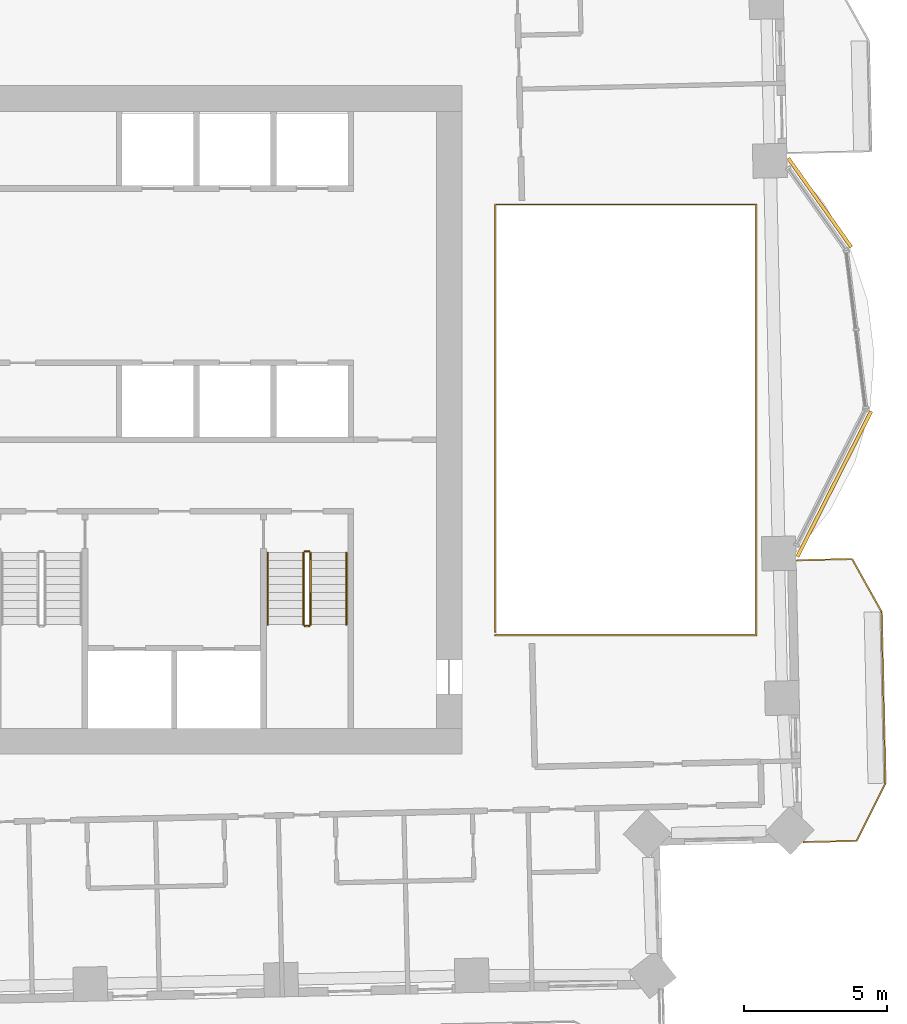
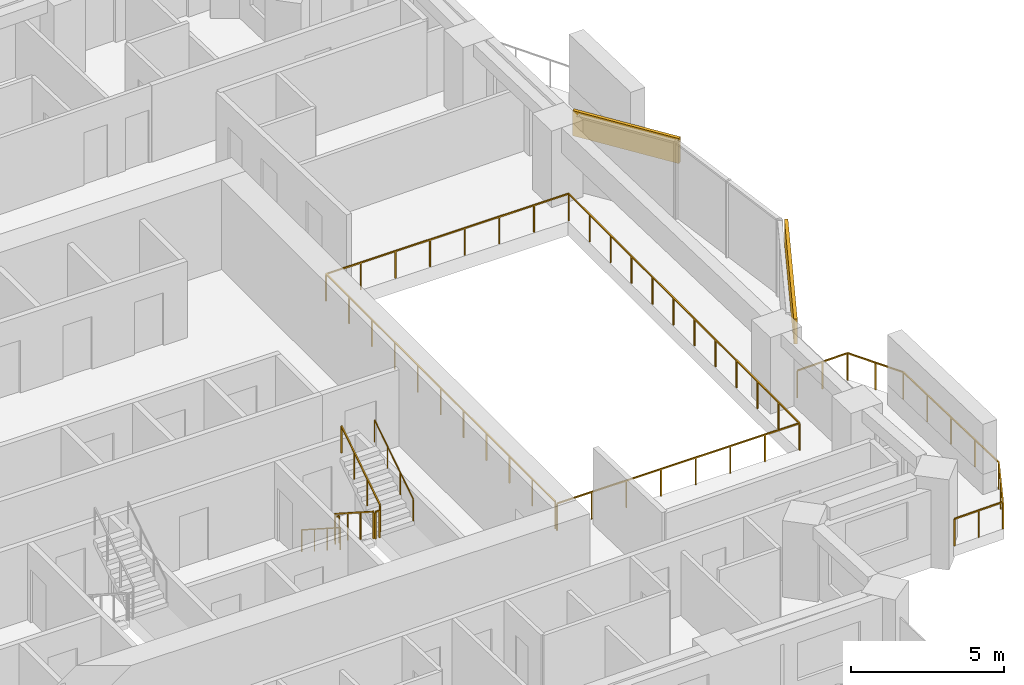
# One storey, part 15 of 16: 8 railings, 2 coverings.
"""IFC4 building model written with IfcOpenShell, lengths in metres."""

from ifc_helpers import new_model, si_unit, direction, frame, frame_2d, origin, origin_2d, place, context, subcontext, project, spatial, rectangle, circle, extrude, material, layer, layer_set, type_object, element, save


model = new_model("IFC4")

# Units and contexts
model_context = context("Model", 3, precision=1e-05, world=origin(), true_north=direction((0.0, 1.0)))
body_context = subcontext(model_context, "Body", "Model", "MODEL_VIEW")
ifc_project = project(units=[si_unit("LENGTHUNIT", "METRE"), si_unit("AREAUNIT", "SQUARE_METRE"), si_unit("VOLUMEUNIT", "CUBIC_METRE"), si_unit("PLANEANGLEUNIT", "RADIAN"), si_unit("MASSUNIT", "GRAM", prefix="KILO")], contexts=[model_context])

# Site, building, storey
site_placement = place(None, origin())
site = spatial("IfcSite", under=ifc_project, at=site_placement, CompositionType="ELEMENT")
building_placement = place(site_placement, origin())
building = spatial("IfcBuilding", under=site, at=building_placement, Name="Mangrove Gate Tower", CompositionType="ELEMENT")
storey_placement = place(building_placement, frame((0.0, 0.0, 189.699951171875)))
storey = spatial("IfcBuildingStorey", under=building, at=storey_placement, Name="L48", CompositionType="ELEMENT", Elevation=189.699951171875)

# Railings
ifc_material_1 = material(Name="Stainless steel grade 316 with laminated glass infill", Category="steel")
railing_type_1 = type_object("IfcRailingType", Name="Balcony guard 1100", PredefinedType="GUARDRAIL", material=ifc_material_1)
railing_1_placement = place(storey_placement, frame((26.658935546875, -14.785888671875, 0.0)))
element("IfcRailing", 1, at=railing_1_placement, inside=storey, type_object=railing_type_1, Name="GUARD L48 E1", PredefinedType="GUARDRAIL", context=body_context, shape_type="SweptSolid", body=[
    extrude(rectangle(XDim=0.048095703125, YDim=0.048095703125, at=origin_2d()), frame((0.0, 0.0, 1.076171875), z_axis=(0.999743329406, 0.02265558006, 0.0), x_axis=(-0.02265558006, 0.999743329406, 0.0)), (0.0, 0.0, 1.0), 1.853515625),
    extrude(rectangle(XDim=0.048095703125, YDim=0.048095703125, at=origin_2d()), frame((1.85302734375, 0.0419921875, 1.076171875), z_axis=(0.446868240177, 0.894599785335, 0.0), x_axis=(-0.894599785335, 0.446868240177, 0.0)), (0.0, 0.0, 1.0), 2.262451171875),
    extrude(rectangle(XDim=0.048095703125, YDim=0.048095703125, at=origin_2d()), frame((2.864013671875, 2.06591796875, 1.076171875), z_axis=(-0.022665943652, 0.999743094499, 0.0), x_axis=(-0.999743094499, -0.022665943652, 0.0)), (0.0, 0.0, 1.0), 5.99951171875),
    extrude(rectangle(XDim=0.048095703125, YDim=0.048095703125, at=origin_2d()), frame((2.72802734375, 8.06396484375, 1.076171875), z_axis=(-0.487147690962, 0.873319601973, 0.0), x_axis=(-0.873319601973, -0.487147690962, 0.0)), (0.0, 0.0, 1.0), 2.120361328125),
    extrude(rectangle(XDim=0.048095703125, YDim=0.048095703125, at=origin_2d()), frame((1.695068359375, 9.915771484375, 1.076171875), z_axis=(-0.999749396593, -0.022386246031, 0.0), x_axis=(0.022386246031, -0.999749396593, 0.0)), (0.0, 0.0, 1.0), 1.91943359375),
    extrude(rectangle(XDim=0.0419921875, YDim=0.0419921875, at=origin_2d()), origin(), (0.0, 0.0, 1.0), 1.052001953125),
    extrude(rectangle(XDim=0.0419921875, YDim=0.0419921875, at=origin_2d()), frame((0.926513671875, 0.02099609375, 0.0)), (0.0, 0.0, 1.0), 1.052001953125),
    extrude(rectangle(XDim=0.0419921875, YDim=0.0419921875, at=origin_2d()), frame((1.85302734375, 0.0419921875, 0.0)), (0.0, 0.0, 1.0), 1.052001953125),
    extrude(rectangle(XDim=0.0419921875, YDim=0.0419921875, at=origin_2d()), frame((2.3583984375, 1.053955078125, 0.0)), (0.0, 0.0, 1.0), 1.052001953125),
    extrude(rectangle(XDim=0.0419921875, YDim=0.0419921875, at=origin_2d()), frame((2.864013671875, 2.06591796875, 0.0)), (0.0, 0.0, 1.0), 1.052001953125),
    extrude(rectangle(XDim=0.0419921875, YDim=0.0419921875, at=origin_2d()), frame((2.830078125, 3.5654296875, 0.0)), (0.0, 0.0, 1.0), 1.052001953125),
    extrude(rectangle(XDim=0.0419921875, YDim=0.0419921875, at=origin_2d()), frame((2.7958984375, 5.06494140625, 0.0)), (0.0, 0.0, 1.0), 1.052001953125),
    extrude(rectangle(XDim=0.0419921875, YDim=0.0419921875, at=origin_2d()), frame((2.761962890625, 6.564453125, 0.0)), (0.0, 0.0, 1.0), 1.052001953125),
    extrude(rectangle(XDim=0.0419921875, YDim=0.0419921875, at=origin_2d()), frame((2.72802734375, 8.06396484375, 0.0)), (0.0, 0.0, 1.0), 1.052001953125),
    extrude(rectangle(XDim=0.0419921875, YDim=0.0419921875, at=origin_2d()), frame((2.21142578125, 8.98974609375, 0.0)), (0.0, 0.0, 1.0), 1.052001953125),
    extrude(rectangle(XDim=0.0419921875, YDim=0.0419921875, at=origin_2d()), frame((1.695068359375, 9.915771484375, 0.0)), (0.0, 0.0, 1.0), 1.052001953125),
    extrude(rectangle(XDim=0.0419921875, YDim=0.0419921875, at=origin_2d()), frame((0.735595703125, 9.894287109375, 0.0)), (0.0, 0.0, 1.0), 1.052001953125),
    extrude(rectangle(XDim=0.0419921875, YDim=0.0419921875, at=origin_2d()), frame((-0.223876953125, 9.872802734375, 0.0)), (0.0, 0.0, 1.0), 1.052001953125),
])
railing_2_placement = place(storey_placement, frame((15.860107421875, -7.5400390625, 0.0)))
element("IfcRailing", 2, at=railing_2_placement, inside=storey, type_object=railing_type_1, Name="GUARD L48 atrium", PredefinedType="GUARDRAIL", context=body_context, shape_type="SweptSolid", body=[
    extrude(rectangle(XDim=0.048095703125, YDim=0.048095703125, at=origin_2d()), frame((0.0, 0.0, 1.076171875), z_axis=(1.0, 0.0, 0.0), x_axis=(0.0, 1.0, 0.0)), (0.0, 0.0, 1.0), 9.143798828125),
    extrude(rectangle(XDim=0.048095703125, YDim=0.048095703125, at=origin_2d()), frame((9.143798828125, 0.0, 1.076171875), z_axis=(0.0, 1.0, 0.0), x_axis=(-1.0, 0.0, 0.0)), (0.0, 0.0, 1.0), 15.080078125),
    extrude(rectangle(XDim=0.048095703125, YDim=0.048095703125, at=origin_2d()), frame((9.143798828125, 15.080078125, 1.076171875), z_axis=(-1.0, 0.0, 0.0), x_axis=(0.0, -1.0, 0.0)), (0.0, 0.0, 1.0), 9.143798828125),
    extrude(rectangle(XDim=0.048095703125, YDim=0.048095703125, at=origin_2d()), frame((0.0, 15.080078125, 1.076171875), z_axis=(0.0, -1.0, 0.0), x_axis=(1.0, 0.0, 0.0)), (0.0, 0.0, 1.0), 14.9599609375),
    extrude(rectangle(XDim=0.0419921875, YDim=0.0419921875, at=origin_2d()), origin(), (0.0, 0.0, 1.0), 1.052001953125),
    extrude(rectangle(XDim=0.0419921875, YDim=0.0419921875, at=origin_2d()), frame((1.30615234375, 0.0, 0.0)), (0.0, 0.0, 1.0), 1.052001953125),
    extrude(rectangle(XDim=0.0419921875, YDim=0.0419921875, at=origin_2d()), frame((2.612548828125, 0.0, 0.0)), (0.0, 0.0, 1.0), 1.052001953125),
    extrude(rectangle(XDim=0.0419921875, YDim=0.0419921875, at=origin_2d()), frame((3.918701171875, 0.0, 0.0)), (0.0, 0.0, 1.0), 1.052001953125),
    extrude(rectangle(XDim=0.0419921875, YDim=0.0419921875, at=origin_2d()), frame((5.22509765625, 0.0, 0.0)), (0.0, 0.0, 1.0), 1.052001953125),
    extrude(rectangle(XDim=0.0419921875, YDim=0.0419921875, at=origin_2d()), frame((6.53125, 0.0, 0.0)), (0.0, 0.0, 1.0), 1.052001953125),
    extrude(rectangle(XDim=0.0419921875, YDim=0.0419921875, at=origin_2d()), frame((7.837646484375, 0.0, 0.0)), (0.0, 0.0, 1.0), 1.052001953125),
    extrude(rectangle(XDim=0.0419921875, YDim=0.0419921875, at=origin_2d()), frame((9.143798828125, 0.0, 0.0)), (0.0, 0.0, 1.0), 1.052001953125),
    extrude(rectangle(XDim=0.0419921875, YDim=0.0419921875, at=origin_2d()), frame((9.143798828125, 1.370849609375, 0.0)), (0.0, 0.0, 1.0), 1.052001953125),
    extrude(rectangle(XDim=0.0419921875, YDim=0.0419921875, at=origin_2d()), frame((9.143798828125, 2.741943359375, 0.0)), (0.0, 0.0, 1.0), 1.052001953125),
    extrude(rectangle(XDim=0.0419921875, YDim=0.0419921875, at=origin_2d()), frame((9.143798828125, 4.11279296875, 0.0)), (0.0, 0.0, 1.0), 1.052001953125),
    extrude(rectangle(XDim=0.0419921875, YDim=0.0419921875, at=origin_2d()), frame((9.143798828125, 5.483642578125, 0.0)), (0.0, 0.0, 1.0), 1.052001953125),
    extrude(rectangle(XDim=0.0419921875, YDim=0.0419921875, at=origin_2d()), frame((9.143798828125, 6.8544921875, 0.0)), (0.0, 0.0, 1.0), 1.052001953125),
    extrude(rectangle(XDim=0.0419921875, YDim=0.0419921875, at=origin_2d()), frame((9.143798828125, 8.2255859375, 0.0)), (0.0, 0.0, 1.0), 1.052001953125),
    extrude(rectangle(XDim=0.0419921875, YDim=0.0419921875, at=origin_2d()), frame((9.143798828125, 9.596435546875, 0.0)), (0.0, 0.0, 1.0), 1.052001953125),
    extrude(rectangle(XDim=0.0419921875, YDim=0.0419921875, at=origin_2d()), frame((9.143798828125, 10.96728515625, 0.0)), (0.0, 0.0, 1.0), 1.052001953125),
    extrude(rectangle(XDim=0.0419921875, YDim=0.0419921875, at=origin_2d()), frame((9.143798828125, 12.338134765625, 0.0)), (0.0, 0.0, 1.0), 1.052001953125),
    extrude(rectangle(XDim=0.0419921875, YDim=0.0419921875, at=origin_2d()), frame((9.143798828125, 13.709228515625, 0.0)), (0.0, 0.0, 1.0), 1.052001953125),
    extrude(rectangle(XDim=0.0419921875, YDim=0.0419921875, at=origin_2d()), frame((9.143798828125, 15.080078125, 0.0)), (0.0, 0.0, 1.0), 1.052001953125),
    extrude(rectangle(XDim=0.0419921875, YDim=0.0419921875, at=origin_2d()), frame((7.837646484375, 15.080078125, 0.0)), (0.0, 0.0, 1.0), 1.052001953125),
    extrude(rectangle(XDim=0.0419921875, YDim=0.0419921875, at=origin_2d()), frame((6.53125, 15.080078125, 0.0)), (0.0, 0.0, 1.0), 1.052001953125),
    extrude(rectangle(XDim=0.0419921875, YDim=0.0419921875, at=origin_2d()), frame((5.22509765625, 15.080078125, 0.0)), (0.0, 0.0, 1.0), 1.052001953125),
    extrude(rectangle(XDim=0.0419921875, YDim=0.0419921875, at=origin_2d()), frame((3.918701171875, 15.080078125, 0.0)), (0.0, 0.0, 1.0), 1.052001953125),
    extrude(rectangle(XDim=0.0419921875, YDim=0.0419921875, at=origin_2d()), frame((2.612548828125, 15.080078125, 0.0)), (0.0, 0.0, 1.0), 1.052001953125),
    extrude(rectangle(XDim=0.0419921875, YDim=0.0419921875, at=origin_2d()), frame((1.30615234375, 15.080078125, 0.0)), (0.0, 0.0, 1.0), 1.052001953125),
    extrude(rectangle(XDim=0.0419921875, YDim=0.0419921875, at=origin_2d()), frame((0.0, 15.080078125, 0.0)), (0.0, 0.0, 1.0), 1.052001953125),
    extrude(rectangle(XDim=0.0419921875, YDim=0.0419921875, at=origin_2d()), frame((0.0, 13.583984375, 0.0)), (0.0, 0.0, 1.0), 1.052001953125),
    extrude(rectangle(XDim=0.0419921875, YDim=0.0419921875, at=origin_2d()), frame((0.0, 12.088134765625, 0.0)), (0.0, 0.0, 1.0), 1.052001953125),
    extrude(rectangle(XDim=0.0419921875, YDim=0.0419921875, at=origin_2d()), frame((0.0, 10.592041015625, 0.0)), (0.0, 0.0, 1.0), 1.052001953125),
    extrude(rectangle(XDim=0.0419921875, YDim=0.0419921875, at=origin_2d()), frame((0.0, 9.09619140625, 0.0)), (0.0, 0.0, 1.0), 1.052001953125),
    extrude(rectangle(XDim=0.0419921875, YDim=0.0419921875, at=origin_2d()), frame((0.0, 7.60009765625, 0.0)), (0.0, 0.0, 1.0), 1.052001953125),
    extrude(rectangle(XDim=0.0419921875, YDim=0.0419921875, at=origin_2d()), frame((0.0, 6.10400390625, 0.0)), (0.0, 0.0, 1.0), 1.052001953125),
    extrude(rectangle(XDim=0.0419921875, YDim=0.0419921875, at=origin_2d()), frame((0.0, 4.608154296875, 0.0)), (0.0, 0.0, 1.0), 1.052001953125),
    extrude(rectangle(XDim=0.0419921875, YDim=0.0419921875, at=origin_2d()), frame((0.0, 3.112060546875, 0.0)), (0.0, 0.0, 1.0), 1.052001953125),
    extrude(rectangle(XDim=0.0419921875, YDim=0.0419921875, at=origin_2d()), frame((0.0, 1.6162109375, 0.0)), (0.0, 0.0, 1.0), 1.052001953125),
    extrude(rectangle(XDim=0.0419921875, YDim=0.0419921875, at=origin_2d()), frame((0.0, 0.1201171875, 0.0)), (0.0, 0.0, 1.0), 1.052001953125),
])
ifc_material_2 = material(Name="Stainless steel 316", Category="steel")
railing_type_2 = type_object("IfcRailingType", Name="Core stair guard 1100", PredefinedType="GUARDRAIL", material=ifc_material_2)
railing_3_placement = place(storey_placement, frame((9.14990234375, -4.64990234375, 0.179931640625)))
element("IfcRailing", 3, at=railing_3_placement, inside=storey, type_object=railing_type_2, Name="L48 ST3 stair guard 1", PredefinedType="GUARDRAIL", context=body_context, shape_type="SweptSolid", body=[
    extrude(rectangle(XDim=0.048095703125, YDim=0.048095703125, at=origin_2d()), frame((0.0, 0.0, 1.076171875), z_axis=(0.0, -0.841162588446, 0.540782303519), x_axis=(1.0, 0.0, 0.0)), (0.0, 0.0, 1.0), 2.995849609375),
    extrude(rectangle(XDim=0.0419921875, YDim=0.0419921875, at=origin_2d()), origin(), (0.0, 0.0, 1.0), 1.052001953125),
    extrude(rectangle(XDim=0.0419921875, YDim=0.0419921875, at=origin_2d()), frame((0.0, -0.840087890625, 0.5400390625)), (0.0, 0.0, 1.0), 1.052001953125),
    extrude(rectangle(XDim=0.0419921875, YDim=0.0419921875, at=origin_2d()), frame((0.0, -1.679931640625, 1.080078125)), (0.0, 0.0, 1.0), 1.052001953125),
    extrude(rectangle(XDim=0.0419921875, YDim=0.0419921875, at=origin_2d()), frame((0.0, -2.52001953125, 1.6201171875)), (0.0, 0.0, 1.0), 1.052001953125),
])
railing_4_placement = place(storey_placement, frame((9.199951171875, -7.219970703125, 1.800048828125)))
element("IfcRailing", 4, at=railing_4_placement, inside=storey, type_object=railing_type_2, Name="L48 ST3 stair guard 2", PredefinedType="GUARDRAIL", context=body_context, shape_type="SweptSolid", body=[
    extrude(rectangle(XDim=0.048095703125, YDim=0.048095703125, at=origin_2d()), frame((0.0, 0.0, 1.076171875), z_axis=(1.0, 0.0, 0.0), x_axis=(0.0, 1.0, 0.0)), (0.0, 0.0, 1.0), 0.150146484375),
    extrude(rectangle(XDim=0.0419921875, YDim=0.0419921875, at=origin_2d()), origin(), (0.0, 0.0, 1.0), 1.052001953125),
    extrude(rectangle(XDim=0.0419921875, YDim=0.0419921875, at=origin_2d()), frame((0.150146484375, 0.0, 0.0)), (0.0, 0.0, 1.0), 1.052001953125),
])
railing_5_placement = place(storey_placement, frame((9.39990234375, -7.169921875, 1.97998046875)))
element("IfcRailing", 5, at=railing_5_placement, inside=storey, type_object=railing_type_2, Name="L48 ST3 stair guard 3", PredefinedType="GUARDRAIL", context=body_context, shape_type="SweptSolid", body=[
    extrude(rectangle(XDim=0.048095703125, YDim=0.048095703125, at=origin_2d()), frame((0.0, 0.0, 1.076171875), z_axis=(0.0, 0.841162588446, 0.540782303519), x_axis=(-1.0, 0.0, 0.0)), (0.0, 0.0, 1.0), 2.995849609375),
    extrude(rectangle(XDim=0.0419921875, YDim=0.0419921875, at=origin_2d()), origin(), (0.0, 0.0, 1.0), 1.052001953125),
    extrude(rectangle(XDim=0.0419921875, YDim=0.0419921875, at=origin_2d()), frame((0.0, 0.840087890625, 0.5400390625)), (0.0, 0.0, 1.0), 1.052001953125),
    extrude(rectangle(XDim=0.0419921875, YDim=0.0419921875, at=origin_2d()), frame((0.0, 1.679931640625, 1.080078125)), (0.0, 0.0, 1.0), 1.052001953125),
    extrude(rectangle(XDim=0.0419921875, YDim=0.0419921875, at=origin_2d()), frame((0.0, 2.52001953125, 1.6201171875)), (0.0, 0.0, 1.0), 1.052001953125),
])
railing_6_placement = place(storey_placement, frame((9.199951171875, -4.60009765625, 0.0)))
element("IfcRailing", 6, at=railing_6_placement, inside=storey, type_object=railing_type_2, Name="L48 ST3 stair guard 4", PredefinedType="GUARDRAIL", context=body_context, shape_type="SweptSolid", body=[
    extrude(rectangle(XDim=0.048095703125, YDim=0.048095703125, at=origin_2d()), frame((0.0, 0.0, 1.076171875), z_axis=(1.0, 0.0, 0.0), x_axis=(0.0, 1.0, 0.0)), (0.0, 0.0, 1.0), 0.150146484375),
    extrude(rectangle(XDim=0.0419921875, YDim=0.0419921875, at=origin_2d()), origin(), (0.0, 0.0, 1.0), 1.052001953125),
    extrude(rectangle(XDim=0.0419921875, YDim=0.0419921875, at=origin_2d()), frame((0.150146484375, 0.0, 0.0)), (0.0, 0.0, 1.0), 1.052001953125),
])
ifc_material_3 = material(Name="Stainless steel 316", Category="steel")
railing_type_3 = type_object("IfcRailingType", Name="Core stair handrail 900", PredefinedType="HANDRAIL", material=ifc_material_3)
railing_7_placement = place(storey_placement, frame((7.89990234375, -4.64990234375, 0.179931640625)))
element("IfcRailing", 7, at=railing_7_placement, inside=storey, type_object=railing_type_3, Name="L48 ST3 stair handrail 1", PredefinedType="HANDRAIL", context=body_context, shape_type="SweptSolid", body=[
    extrude(circle(Radius=0.02392578125, at=origin_2d()), frame((0.0, 0.0, 0.8759765625), z_axis=(0.0, -0.841162588446, 0.540782303519), x_axis=(1.0, 0.0, 0.0)), (0.0, 0.0, 1.0), 2.995849609375),
    extrude(circle(Radius=0.02099609375, at=origin_2d()), origin(), (0.0, 0.0, 1.0), 0.851806640625),
    extrude(circle(Radius=0.02099609375, at=origin_2d()), frame((0.0, -0.840087890625, 0.5400390625)), (0.0, 0.0, 1.0), 0.851806640625),
    extrude(circle(Radius=0.02099609375, at=origin_2d()), frame((0.0, -1.679931640625, 1.080078125)), (0.0, 0.0, 1.0), 0.851806640625),
    extrude(circle(Radius=0.02099609375, at=origin_2d()), frame((0.0, -2.52001953125, 1.6201171875)), (0.0, 0.0, 1.0), 0.851806640625),
])
railing_8_placement = place(storey_placement, frame((10.64990234375, -7.169921875, 1.97998046875)))
element("IfcRailing", 8, at=railing_8_placement, inside=storey, type_object=railing_type_3, Name="L48 ST3 stair handrail 2", PredefinedType="HANDRAIL", context=body_context, shape_type="SweptSolid", body=[
    extrude(circle(Radius=0.02392578125, at=origin_2d()), frame((0.0, 0.0, 0.8759765625), z_axis=(0.0, 0.841162588446, 0.540782303519), x_axis=(-1.0, 0.0, 0.0)), (0.0, 0.0, 1.0), 2.995849609375),
    extrude(circle(Radius=0.02099609375, at=origin_2d()), origin(), (0.0, 0.0, 1.0), 0.851806640625),
    extrude(circle(Radius=0.02099609375, at=origin_2d()), frame((0.0, 0.840087890625, 0.5400390625)), (0.0, 0.0, 1.0), 0.851806640625),
    extrude(circle(Radius=0.02099609375, at=origin_2d()), frame((0.0, 1.679931640625, 1.080078125)), (0.0, 0.0, 1.0), 0.851806640625),
    extrude(circle(Radius=0.02099609375, at=origin_2d()), frame((0.0, 2.52001953125, 1.6201171875)), (0.0, 0.0, 1.0), 0.851806640625),
])

# Coverings
ifc_material_4 = material(Name="Limestone", Category="masonry")
ifc_layer_1 = layer(ifc_material_4, 0.0400390625, Name="Limestone cladding")
ifc_material_5 = material(Name="Stainless steel anchors and cavity", Category="steel")
ifc_layer_2 = layer(ifc_material_5, 0.080078125, Name="Fixing cavity")
ifc_layer_set = layer_set([ifc_layer_1, ifc_layer_2], Name="Joint fascia cladding 120")
covering_type = type_object("IfcCoveringType", Name="Joint fascia cladding 120", PredefinedType="CLADDING", material=ifc_layer_set)
covering_1_placement = place(storey_placement, frame((26.4423828125, -4.788330078125, 2.050048828125), z_axis=(0.0, 0.0, 1.0), x_axis=(0.452512280568, 0.891758171219, 0.0)))
element("IfcCovering", 9, at=covering_1_placement, inside=storey, type_object=covering_type, Name="STONE FASCIA L48 E1.L1", PredefinedType="CLADDING", context=body_context, shape_type="SweptSolid", body=[
    extrude(rectangle(XDim=5.704833984375, YDim=0.1201171875, at=frame_2d((2.8525390625, 0.0))), origin(), (0.0, 0.0, 1.0), 1.0),
])
covering_2_placement = place(storey_placement, frame((28.327880859375, 6.047119140625, 2.050048828125), z_axis=(0.0, 0.0, 1.0), x_axis=(-0.578125537526, 0.815947830968, 0.0)))
element("IfcCovering", 10, at=covering_2_placement, inside=storey, type_object=covering_type, Name="STONE FASCIA L48 E1.L2", PredefinedType="CLADDING", context=body_context, shape_type="SweptSolid", body=[
    extrude(rectangle(XDim=3.81884765625, YDim=0.1201171875, at=frame_2d((1.909423828125, 0.0))), origin(), (0.0, 0.0, 1.0), 1.0),
])

save(model, "model.ifc")
